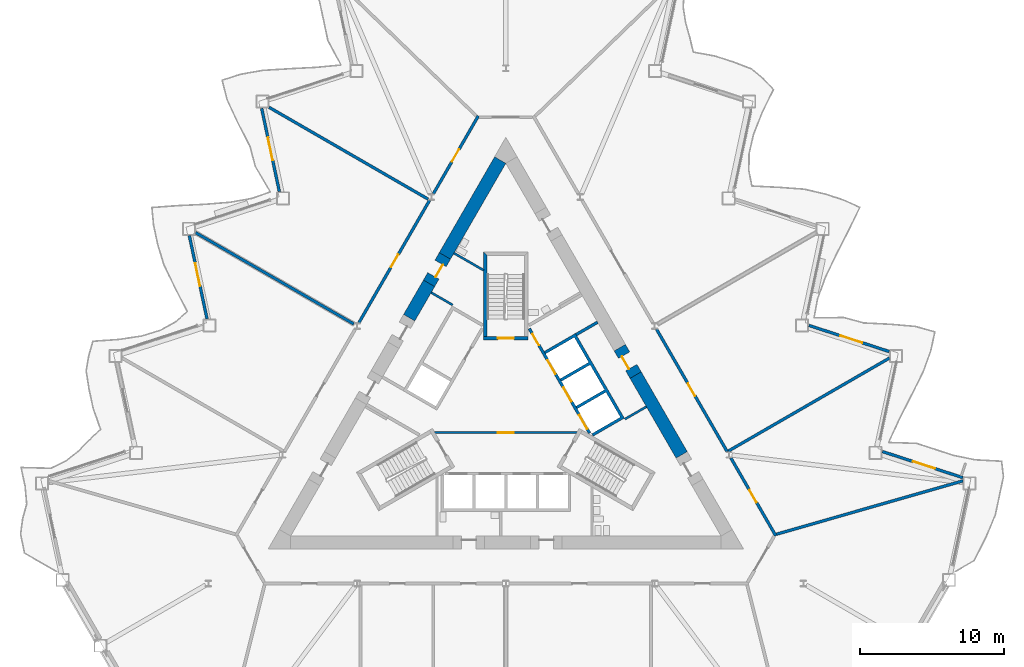
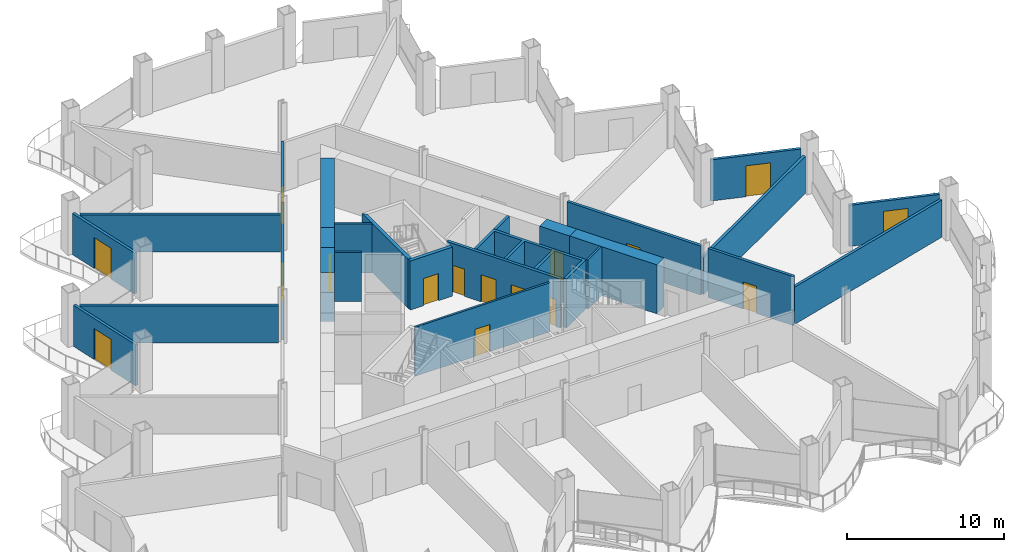
# One storey, part 12 of 21: 26 walls, 16 doors, 16 openings.
"""IFC4 building model written with IfcOpenShell, lengths in metres."""

from ifc_helpers import new_model, si_unit, direction, frame, frame_2d, origin, place, context, subcontext, project, spatial, polyline, rectangle, outline, extrude, material, layer, layer_set, type_object, element, fill, save


model = new_model("IFC4")

# Units and contexts
model_context = context("Model", 3, precision=1e-05, world=origin(), true_north=direction((0.0, 1.0)))
body_context = subcontext(model_context, "Body", "Model", "MODEL_VIEW")
ifc_project = project(units=[si_unit("LENGTHUNIT", "METRE"), si_unit("AREAUNIT", "SQUARE_METRE"), si_unit("VOLUMEUNIT", "CUBIC_METRE"), si_unit("PLANEANGLEUNIT", "RADIAN"), si_unit("MASSUNIT", "GRAM", prefix="KILO")], contexts=[model_context])

# Site, building, storey
site_placement = place(None, origin())
site = spatial("IfcSite", under=ifc_project, at=site_placement, CompositionType="ELEMENT")
building_placement = place(site_placement, origin())
building = spatial("IfcBuilding", under=site, at=building_placement, Name="Cormorant Prow Tower", CompositionType="ELEMENT")
storey_placement = place(building_placement, frame((0.0, 0.0, 129.0)))
storey = spatial("IfcBuildingStorey", under=building, at=storey_placement, Name="L27", CompositionType="ELEMENT", Elevation=129.0)

# Wall, opening, door
ifc_material_1 = material(Name="Gypsum board partition")
ifc_layer_1 = layer(ifc_material_1, 0.14990234375)
ifc_layer_set_1 = layer_set([ifc_layer_1], Name="Gypsum board partition")
wall_type_1 = type_object("IfcWallType", Name="Core partition 150", PredefinedType="PARTITIONING", material=ifc_layer_set_1)
wall_1_placement = place(storey_placement, frame((-4.941162109375, -1.449951171875, 0.0), z_axis=(0.0, 0.0, 1.0), x_axis=(1.0, 0.0, 0.0)))
wall_1 = element("IfcWall", 1, at=wall_1_placement, inside=storey, type_object=wall_type_1, Name="Firefighting lobby partition", PredefinedType="PARTITIONING", context=body_context, shape_type="SweptSolid", body=[
    extrude(rectangle(XDim=9.88232421875, YDim=0.14990234375, at=frame_2d((4.941162109375, 0.0))), origin(), (0.0, 0.0, 1.0), 3.800048828125),
])
opening_1_placement = place(wall_1_placement, frame((4.39111328125, 0.0, 0.0)))
opening_1 = element("IfcOpeningElement", 2, at=opening_1_placement, cuts=wall_1, Name="Opening L27-C10", PredefinedType="OPENING", context=body_context, shape_type="SweptSolid", body=[
    extrude(rectangle(XDim=1.10009765625, YDim=2.10009765625, at=frame_2d((0.550048828125, 1.050048828125))), frame((0.0, 0.0849609375, 0.0), z_axis=(0.0, -1.0, 0.0), x_axis=(1.0, 0.0, 0.0)), (0.0, 0.0, 1.0), 0.169921875),
])
ifc_material_2 = material(Name="Painted steel", Category="steel")
door_type_1 = type_object("IfcDoorType", Name="Firefighting lobby door 1100x2100", OperationType="NOTDEFINED", PredefinedType="DOOR", material=ifc_material_2)
door_1_placement = place(opening_1_placement, origin())
door_1 = element("IfcDoor", 3, at=door_1_placement, inside=storey, type_object=door_type_1, Name="Firefighting lobby door", OperationType="SINGLE_SWING_RIGHT", OverallHeight=2.10009765625, OverallWidth=1.10009765625, PredefinedType="DOOR", context=body_context, shape_type="SweptSolid", body=[
    extrude(rectangle(XDim=1.10009765625, YDim=2.10009765625, at=frame_2d((0.550048828125, 1.050048828125))), frame((0.0, 0.02490234375, 0.0), z_axis=(0.0, -1.0, 0.0), x_axis=(1.0, 0.0, 0.0)), (0.0, 0.0, 1.0), 0.050048828125),
])
fill(opening_1, door_1)

# Walls
for number, where, z_axis, x_axis, name in (
    (4, (8.268310546875, -0.509033203125, 0.0), (0.0, 0.0, 1.0), (0.866024871741, 0.500000921525, 0.0), "Service room partition"),
    (5, (-3.693359375, 7.4150390625, 0.0), (0.0, 0.0, 1.0), (-0.866024871741, 0.500000921525, 0.0), "Service room partition"),
):
    element("IfcWall", number, at=place(storey_placement, frame(where, z_axis=z_axis, x_axis=x_axis)), inside=storey, type_object=wall_type_1, Name=name, PredefinedType="PARTITIONING", context=body_context, shape_type="SweptSolid", body=[
        extrude(rectangle(XDim=1.72021484375, YDim=0.14990234375, at=frame_2d((0.860107421875, 0.0))), origin(), (0.0, 0.0, 1.0), 3.800048828125),
    ])
wall_2_placement = place(storey_placement, frame((-3.601806640625, 11.013916015625, 0.0), z_axis=(0.0, 0.0, 1.0), x_axis=(0.866011787705, -0.500023583, 0.0)))
element("IfcWall", 6, at=wall_2_placement, inside=storey, type_object=wall_type_1, Name="Service room partition", PredefinedType="PARTITIONING", context=body_context, shape_type="SweptSolid", body=[
    extrude(rectangle(XDim=2.38623046875, YDim=0.14990234375, at=frame_2d((1.193115234375, 0.0))), origin(), (0.0, 0.0, 1.0), 3.800048828125),
])
ifc_material_3 = material(Name="Concrete 8000 psi", Category="concrete")
ifc_layer_2 = layer(ifc_material_3, 0.89990234375)
ifc_layer_set_2 = layer_set([ifc_layer_2], Name="Concrete 8000 psi")
wall_type_2 = type_object("IfcWallType", Name="Core shear wall 900", PredefinedType="SHEAR", material=ifc_layer_set_2)
wall_3_placement = place(storey_placement, frame((12.2080078125, -2.992431640625, 0.0), z_axis=(0.0, 0.0, 1.0), x_axis=(-0.499990106751, 0.866031115579, 0.0)))
element("IfcWall", 7, at=wall_3_placement, inside=storey, type_object=wall_type_2, Name="Core wall", PredefinedType="SHEAR", context=body_context, shape_type="SweptSolid", body=[
    extrude(rectangle(XDim=6.395751953125, YDim=0.89990234375, at=frame_2d((3.19775390625, 0.0))), origin(), (0.0, 0.0, 1.0), 3.800048828125),
])
wall_4_placement = place(storey_placement, frame((-0.3896484375, 17.4775390625, 0.0), z_axis=(0.0, 0.0, 1.0), x_axis=(-0.500010285023, -0.866019465642, 0.0)))
element("IfcWall", 8, at=wall_4_placement, inside=storey, type_object=wall_type_2, Name="Core wall", PredefinedType="SHEAR", context=body_context, shape_type="SweptSolid", body=[
    extrude(rectangle(XDim=7.684814453125, YDim=0.89990234375, at=frame_2d((3.84228515625, 0.0))), origin(), (0.0, 0.0, 1.0), 3.800048828125),
])
wall_5_placement = place(storey_placement, frame((-5.332275390625, 8.9169921875, 0.0), z_axis=(0.0, 0.0, 1.0), x_axis=(-0.499949934511, -0.866054307178, 0.0)))
element("IfcWall", 9, at=wall_5_placement, inside=storey, type_object=wall_type_2, Name="Core wall", PredefinedType="SHEAR", context=body_context, shape_type="SweptSolid", body=[
    extrude(rectangle(XDim=2.756103515625, YDim=0.89990234375, at=frame_2d((1.3779296875, 0.0))), origin(), (0.0, 0.0, 1.0), 3.800048828125),
])

# Wall, opening, door
wall_6_placement = place(storey_placement, frame((9.01025390625, 2.54638671875, 0.0), z_axis=(0.0, 0.0, 1.0), x_axis=(-0.499994660107, 0.866028486751, 0.0)))
wall_6 = element("IfcWall", 10, at=wall_6_placement, inside=storey, type_object=wall_type_2, Name="Core wall door panel", PredefinedType="SHEAR", context=body_context, shape_type="SweptSolid", body=[
    extrude(rectangle(XDim=2.19970703125, YDim=0.89990234375, at=frame_2d((1.099853515625, 0.0))), origin(), (0.0, 0.0, 1.0), 3.800048828125),
])
opening_2_placement = place(wall_6_placement, frame((0.60009765625, 0.0, 0.0)))
opening_2 = element("IfcOpeningElement", 11, at=opening_2_placement, cuts=wall_6, Name="Opening L27-C18", PredefinedType="OPENING", context=body_context, shape_type="SweptSolid", body=[
    extrude(rectangle(XDim=1.0, YDim=2.10009765625, at=frame_2d((0.5, 1.050048828125))), frame((0.0, 0.4599609375, 0.0), z_axis=(0.0, -1.0, 0.0), x_axis=(1.0, 0.0, 0.0)), (0.0, 0.0, 1.0), 0.919921875),
])
ifc_material_4 = material(Name="Painted steel", Category="steel")
door_type_2 = type_object("IfcDoorType", Name="Service door 1000x2100", OperationType="NOTDEFINED", PredefinedType="DOOR", material=ifc_material_4)
door_2_placement = place(opening_2_placement, origin())
door_2 = element("IfcDoor", 12, at=door_2_placement, inside=storey, type_object=door_type_2, Name="Core door, Housekeeping store", OperationType="SINGLE_SWING_RIGHT", OverallHeight=2.10009765625, OverallWidth=1.0, PredefinedType="DOOR", context=body_context, shape_type="SweptSolid", body=[
    extrude(rectangle(XDim=1.0, YDim=2.10009765625, at=frame_2d((0.5, 1.050048828125))), frame((0.0, 0.205078125, 0.0), z_axis=(0.0, -1.0, 0.0), x_axis=(1.0, 0.0, 0.0)), (0.0, 0.0, 1.0), 0.050048828125),
])
fill(opening_2, door_2)

wall_7_placement = place(storey_placement, frame((-4.232177734375, 10.822265625, 0.0), z_axis=(0.0, 0.0, 1.0), x_axis=(-0.50002983664, -0.866008176907, 0.0)))
wall_7 = element("IfcWall", 13, at=wall_7_placement, inside=storey, type_object=wall_type_2, Name="Core wall door panel", PredefinedType="SHEAR", context=body_context, shape_type="SweptSolid", body=[
    extrude(rectangle(XDim=2.199951171875, YDim=0.89990234375, at=frame_2d((1.10009765625, 0.0))), origin(), (0.0, 0.0, 1.0), 3.800048828125),
])
opening_3_placement = place(wall_7_placement, frame((0.60009765625, 0.0, 0.0)))
opening_3 = element("IfcOpeningElement", 14, at=opening_3_placement, cuts=wall_7, Name="Opening L27-C20", PredefinedType="OPENING", context=body_context, shape_type="SweptSolid", body=[
    extrude(rectangle(XDim=1.0, YDim=2.10009765625, at=frame_2d((0.5, 1.050048828125))), frame((0.0, 0.4599609375, 0.0), z_axis=(0.0, -1.0, 0.0), x_axis=(1.0, 0.0, 0.0)), (0.0, 0.0, 1.0), 0.919921875),
])
door_3_placement = place(opening_3_placement, origin())
door_3 = element("IfcDoor", 15, at=door_3_placement, inside=storey, type_object=door_type_2, Name="Core door, Linen store", OperationType="SINGLE_SWING_LEFT", OverallHeight=2.10009765625, OverallWidth=1.0, PredefinedType="DOOR", context=body_context, shape_type="SweptSolid", body=[
    extrude(rectangle(XDim=1.0, YDim=2.10009765625, at=frame_2d((0.5, 1.050048828125))), frame((0.0, 0.205078125, 0.0), z_axis=(0.0, -1.0, 0.0), x_axis=(1.0, 0.0, 0.0)), (0.0, 0.0, 1.0), 0.050048828125),
])
fill(opening_3, door_3)

ifc_material_5 = material(Name="Gypsum board corridor wall")
ifc_layer_3 = layer(ifc_material_5, 0.199951171875)
ifc_layer_set_3 = layer_set([ifc_layer_3], Name="Gypsum board corridor wall")
wall_type_3 = type_object("IfcWallType", Name="Corridor wall 200", PredefinedType="PARTITIONING", material=ifc_layer_set_3)
wall_8_placement = place(storey_placement, frame((10.459716796875, 5.735595703125, 0.0), z_axis=(0.0, 0.0, 1.0), x_axis=(0.500004141693, -0.866023012564, 0.0)))
wall_8 = element("IfcWall", 16, at=wall_8_placement, inside=storey, type_object=wall_type_3, Name="Corridor wall", PredefinedType="PARTITIONING", context=body_context, shape_type="SweptSolid", body=[
    extrude(rectangle(XDim=9.80322265625, YDim=0.199951171875, at=frame_2d((4.901611328125, 0.0))), origin(), (0.0, 0.0, 1.0), 3.800048828125),
])
opening_4_placement = place(wall_8_placement, frame((4.3515625, 0.0, 0.0)))
opening_4 = element("IfcOpeningElement", 17, at=opening_4_placement, cuts=wall_8, Name="Opening L27-F08", PredefinedType="OPENING", context=body_context, shape_type="SweptSolid", body=[
    extrude(rectangle(XDim=1.0, YDim=2.10009765625, at=frame_2d((0.5, 1.050048828125))), frame((0.0, 0.10986328125, 0.0), z_axis=(0.0, -1.0, 0.0), x_axis=(1.0, 0.0, 0.0)), (0.0, 0.0, 1.0), 0.219970703125),
])
ifc_material_6 = material(Name="Timber door leaf", Category="wood")
door_type_3 = type_object("IfcDoorType", Name="Office door 1000x2100", OperationType="NOTDEFINED", PredefinedType="DOOR", material=ifc_material_6)
door_4_placement = place(opening_4_placement, origin())
door_4 = element("IfcDoor", 18, at=door_4_placement, inside=storey, type_object=door_type_3, Name="Co-working room door", OperationType="SINGLE_SWING_RIGHT", OverallHeight=2.10009765625, OverallWidth=1.0, PredefinedType="DOOR", context=body_context, shape_type="SweptSolid", body=[
    extrude(rectangle(XDim=1.0, YDim=2.10009765625, at=frame_2d((0.5, 1.050048828125))), frame((0.0, 0.02490234375, 0.0), z_axis=(0.0, -1.0, 0.0), x_axis=(1.0, 0.0, 0.0)), (0.0, 0.0, 1.0), 0.050048828125),
])
fill(opening_4, door_4)

wall_9_placement = place(storey_placement, frame((-10.197265625, 6.1904296875, 0.0), z_axis=(0.0, 0.0, 1.0), x_axis=(0.500012035596, 0.866018454918, 0.0)))
wall_9 = element("IfcWall", 19, at=wall_9_placement, inside=storey, type_object=wall_type_3, Name="Corridor wall", PredefinedType="PARTITIONING", context=body_context, shape_type="SweptSolid", body=[
    extrude(rectangle(XDim=9.803466796875, YDim=0.199951171875, at=frame_2d((4.90185546875, 0.0))), origin(), (0.0, 0.0, 1.0), 3.800048828125),
])
opening_5_placement = place(wall_9_placement, frame((4.45166015625, 0.0, 0.0)))
opening_5 = element("IfcOpeningElement", 20, at=opening_5_placement, cuts=wall_9, Name="Opening L27-F12", PredefinedType="OPENING", context=body_context, shape_type="SweptSolid", body=[
    extrude(rectangle(XDim=1.0, YDim=2.10009765625, at=frame_2d((0.5, 1.050048828125))), frame((0.0, 0.10986328125, 0.0), z_axis=(0.0, -1.0, 0.0), x_axis=(1.0, 0.0, 0.0)), (0.0, 0.0, 1.0), 0.219970703125),
])
door_5_placement = place(opening_5_placement, origin())
door_5 = element("IfcDoor", 21, at=door_5_placement, inside=storey, type_object=door_type_3, Name="Tenant suite door", OperationType="SINGLE_SWING_LEFT", OverallHeight=2.10009765625, OverallWidth=1.0, PredefinedType="DOOR", context=body_context, shape_type="SweptSolid", body=[
    extrude(rectangle(XDim=1.0, YDim=2.10009765625, at=frame_2d((0.5, 1.050048828125))), frame((0.0, 0.02490234375, 0.0), z_axis=(0.0, -1.0, 0.0), x_axis=(1.0, 0.0, 0.0)), (0.0, 0.0, 1.0), 0.050048828125),
])
fill(opening_5, door_5)

wall_10_placement = place(storey_placement, frame((-5.032958984375, 15.13525390625, 0.0), z_axis=(0.0, 0.0, 1.0), x_axis=(0.499980978912, 0.866036385336, 0.0)))
wall_10 = element("IfcWall", 22, at=wall_10_placement, inside=storey, type_object=wall_type_3, Name="Corridor wall", PredefinedType="PARTITIONING", context=body_context, shape_type="SweptSolid", body=[
    extrude(rectangle(XDim=6.239990234375, YDim=0.199951171875, at=frame_2d((3.1201171875, 0.0))), origin(), (0.0, 0.0, 1.0), 3.800048828125),
])
opening_6_placement = place(wall_10_placement, frame((2.569580078125, 0.0, 0.0)))
opening_6 = element("IfcOpeningElement", 23, at=opening_6_placement, cuts=wall_10, Name="Opening L27-F11", PredefinedType="OPENING", context=body_context, shape_type="SweptSolid", body=[
    extrude(rectangle(XDim=1.0, YDim=2.10009765625, at=frame_2d((0.5, 1.050048828125))), frame((0.0, 0.10986328125, 0.0), z_axis=(0.0, -1.0, 0.0), x_axis=(1.0, 0.0, 0.0)), (0.0, 0.0, 1.0), 0.219970703125),
])
door_6_placement = place(opening_6_placement, origin())
door_6 = element("IfcDoor", 24, at=door_6_placement, inside=storey, type_object=door_type_3, Name="Open-plan office door", OperationType="SINGLE_SWING_LEFT", OverallHeight=2.10009765625, OverallWidth=1.0, PredefinedType="DOOR", context=body_context, shape_type="SweptSolid", body=[
    extrude(rectangle(XDim=1.0, YDim=2.10009765625, at=frame_2d((0.5, 1.050048828125))), frame((0.0, 0.02490234375, 0.0), z_axis=(0.0, -1.0, 0.0), x_axis=(1.0, 0.0, 0.0)), (0.0, 0.0, 1.0), 0.050048828125),
])
fill(opening_6, door_6)

wall_11_placement = place(storey_placement, frame((15.6240234375, -3.208984375, 0.0), z_axis=(0.0, 0.0, 1.0), x_axis=(0.499997920671, -0.866026604282, 0.0)))
wall_11 = element("IfcWall", 25, at=wall_11_placement, inside=storey, type_object=wall_type_3, Name="Corridor wall", PredefinedType="PARTITIONING", context=body_context, shape_type="SweptSolid", body=[
    extrude(rectangle(XDim=6.23974609375, YDim=0.199951171875, at=frame_2d((3.119873046875, 0.0))), origin(), (0.0, 0.0, 1.0), 3.800048828125),
])
opening_7_placement = place(wall_11_placement, frame((2.569580078125, 0.0, 0.0)))
opening_7 = element("IfcOpeningElement", 26, at=opening_7_placement, cuts=wall_11, Name="Opening L27-F07", PredefinedType="OPENING", context=body_context, shape_type="SweptSolid", body=[
    extrude(rectangle(XDim=1.0, YDim=2.10009765625, at=frame_2d((0.5, 1.050048828125))), frame((0.0, 0.10986328125, 0.0), z_axis=(0.0, -1.0, 0.0), x_axis=(1.0, 0.0, 0.0)), (0.0, 0.0, 1.0), 0.219970703125),
])
door_7_placement = place(opening_7_placement, origin())
door_7 = element("IfcDoor", 27, at=door_7_placement, inside=storey, type_object=door_type_3, Name="Tenant suite door", OperationType="SINGLE_SWING_LEFT", OverallHeight=2.10009765625, OverallWidth=1.0, PredefinedType="DOOR", context=body_context, shape_type="SweptSolid", body=[
    extrude(rectangle(XDim=1.0, YDim=2.10009765625, at=frame_2d((0.5, 1.050048828125))), frame((0.0, 0.02490234375, 0.0), z_axis=(0.0, -1.0, 0.0), x_axis=(1.0, 0.0, 0.0)), (0.0, 0.0, 1.0), 0.050048828125),
])
fill(opening_7, door_7)

# Walls
ifc_material_7 = material(Name="Gypsum board demising wall")
ifc_layer_4 = layer(ifc_material_7, 0.199951171875)
ifc_layer_set_4 = layer_set([ifc_layer_4], Name="Gypsum board demising wall")
wall_type_4 = type_object("IfcWallType", Name="Demising wall 200", PredefinedType="PARTITIONING", material=ifc_layer_set_4)
wall_12_placement = place(storey_placement, frame((18.7900390625, -8.498779296875, 0.0), z_axis=(0.0, 0.0, 1.0), x_axis=(0.961478776026, 0.274879179372, 0.0)))
element("IfcWall", 28, at=wall_12_placement, inside=storey, type_object=wall_type_4, Name="Demising wall", PredefinedType="PARTITIONING", context=body_context, shape_type="SweptSolid", body=[
    extrude(rectangle(XDim=13.46484375, YDim=0.199951171875, at=frame_2d((6.732421875, 0.0))), origin(), (0.0, 0.0, 1.0), 2.88525390625),
])
wall_13_placement = place(storey_placement, frame((15.4033203125, -2.754150390625, 0.0), z_axis=(0.0, 0.0, 1.0), x_axis=(0.866024473704, 0.500001610943, 0.0)))
element("IfcWall", 29, at=wall_13_placement, inside=storey, type_object=wall_type_4, Name="Demising wall", PredefinedType="PARTITIONING", context=body_context, shape_type="SweptSolid", body=[
    extrude(rectangle(XDim=12.970703125, YDim=0.199951171875, at=frame_2d((6.4853515625, 0.0))), origin(), (0.0, 0.0, 1.0), 2.88525390625),
])
wall_14_placement = place(storey_placement, frame((-16.436279296875, 21.13671875, 0.0), z_axis=(0.0, 0.0, 1.0), x_axis=(0.866023321739, -0.500003606191, 0.0)))
element("IfcWall", 30, at=wall_14_placement, inside=storey, type_object=wall_type_4, Name="Demising wall", PredefinedType="PARTITIONING", context=body_context, shape_type="SweptSolid", body=[
    extrude(rectangle(XDim=12.75341796875, YDim=0.199951171875, at=frame_2d((6.376708984375, 0.0))), origin(), (0.0, 0.0, 1.0), 2.88525390625),
])
wall_15_placement = place(storey_placement, frame((-21.536376953125, 12.43408203125, 0.0), z_axis=(0.0, 0.0, 1.0), x_axis=(0.86602461759, -0.500001361726, 0.0)))
element("IfcWall", 31, at=wall_15_placement, inside=storey, type_object=wall_type_4, Name="Demising wall", PredefinedType="PARTITIONING", context=body_context, shape_type="SweptSolid", body=[
    extrude(rectangle(XDim=12.67919921875, YDim=0.199951171875, at=frame_2d((6.339599609375, 0.0))), origin(), (0.0, 0.0, 1.0), 2.88525390625),
])

# Wall, openings, doors
ifc_material_8 = material(Name="Concrete 5000 psi", Category="concrete")
ifc_layer_5 = layer(ifc_material_8, 0.199951171875)
ifc_layer_set_5 = layer_set([ifc_layer_5], Name="Concrete 5000 psi")
wall_type_5 = type_object("IfcWallType", Name="Lift lobby wall 200", PredefinedType="SOLIDWALL", material=ifc_layer_set_5)
wall_16_placement = place(storey_placement, frame((5.817138671875, -1.4755859375, 0.0), z_axis=(0.0, 0.0, 1.0), x_axis=(-0.500002616675, 0.866023893041, 0.0)))
wall_16 = element("IfcWall", 32, at=wall_16_placement, inside=storey, type_object=wall_type_5, Name="Lift lobby wall, ENE block", PredefinedType="SOLIDWALL", context=body_context, shape_type="SweptSolid", body=[
    extrude(rectangle(XDim=8.373046875, YDim=0.199951171875, at=frame_2d((4.1865234375, 0.0))), origin(), (0.0, 0.0, 1.0), 3.800048828125),
])
opening_8_placement = place(wall_16_placement, frame((0.336669921875, 0.0, 0.0)))
opening_8 = element("IfcOpeningElement", 33, at=opening_8_placement, cuts=wall_16, Name="Opening L27-C05", PredefinedType="OPENING", context=body_context, shape_type="SweptSolid", body=[
    extrude(rectangle(XDim=1.10009765625, YDim=2.10009765625, at=frame_2d((0.550048828125, 1.050048828125))), frame((0.0, 0.10986328125, 0.0), z_axis=(0.0, -1.0, 0.0), x_axis=(1.0, 0.0, 0.0)), (0.0, 0.0, 1.0), 0.219970703125),
])
opening_9_placement = place(wall_16_placement, frame((2.53662109375, 0.0, 0.0)))
opening_9 = element("IfcOpeningElement", 34, at=opening_9_placement, cuts=wall_16, Name="Opening L27-C06", PredefinedType="OPENING", context=body_context, shape_type="SweptSolid", body=[
    extrude(rectangle(XDim=1.10009765625, YDim=2.10009765625, at=frame_2d((0.550048828125, 1.050048828125))), frame((0.0, 0.10986328125, 0.0), z_axis=(0.0, -1.0, 0.0), x_axis=(1.0, 0.0, 0.0)), (0.0, 0.0, 1.0), 0.219970703125),
])
opening_10_placement = place(wall_16_placement, frame((4.736572265625, 0.0, 0.0)))
opening_10 = element("IfcOpeningElement", 35, at=opening_10_placement, cuts=wall_16, Name="Opening L27-C07", PredefinedType="OPENING", context=body_context, shape_type="SweptSolid", body=[
    extrude(rectangle(XDim=1.10009765625, YDim=2.10009765625, at=frame_2d((0.550048828125, 1.050048828125))), frame((0.0, 0.10986328125, 0.0), z_axis=(0.0, -1.0, 0.0), x_axis=(1.0, 0.0, 0.0)), (0.0, 0.0, 1.0), 0.219970703125),
])
opening_11_placement = place(wall_16_placement, frame((7.03662109375, 0.0, 0.0)))
opening_11 = element("IfcOpeningElement", 36, at=opening_11_placement, cuts=wall_16, Name="Opening L27-C08", PredefinedType="OPENING", context=body_context, shape_type="SweptSolid", body=[
    extrude(rectangle(XDim=0.89990234375, YDim=2.10009765625, at=frame_2d((0.449951171875, 1.050048828125))), frame((0.0, 0.10986328125, 0.0), z_axis=(0.0, -1.0, 0.0), x_axis=(1.0, 0.0, 0.0)), (0.0, 0.0, 1.0), 0.219970703125),
])
ifc_material_9 = material(Name="Painted steel", Category="steel")
door_type_4 = type_object("IfcDoorType", Name="Lift landing door 1100x2100", OperationType="SLIDING_TO_LEFT", PredefinedType="DOOR", material=ifc_material_9)
door_8_placement = place(opening_8_placement, origin())
door_8 = element("IfcDoor", 37, at=door_8_placement, inside=storey, type_object=door_type_4, Name="Landing door LR2", OperationType="SLIDING_TO_LEFT", OverallHeight=2.10009765625, OverallWidth=1.10009765625, PredefinedType="DOOR", context=body_context, shape_type="SweptSolid", body=[
    extrude(rectangle(XDim=1.10009765625, YDim=2.10009765625, at=frame_2d((0.550048828125, 1.050048828125))), frame((0.0, 0.02490234375, 0.0), z_axis=(0.0, -1.0, 0.0), x_axis=(1.0, 0.0, 0.0)), (0.0, 0.0, 1.0), 0.050048828125),
])
fill(opening_8, door_8)
door_9_placement = place(opening_9_placement, origin())
door_9 = element("IfcDoor", 38, at=door_9_placement, inside=storey, type_object=door_type_4, Name="Landing door LR3", OperationType="SLIDING_TO_LEFT", OverallHeight=2.10009765625, OverallWidth=1.10009765625, PredefinedType="DOOR", context=body_context, shape_type="SweptSolid", body=[
    extrude(rectangle(XDim=1.10009765625, YDim=2.10009765625, at=frame_2d((0.550048828125, 1.050048828125))), frame((0.0, 0.02490234375, 0.0), z_axis=(0.0, -1.0, 0.0), x_axis=(1.0, 0.0, 0.0)), (0.0, 0.0, 1.0), 0.050048828125),
])
fill(opening_9, door_9)
door_10_placement = place(opening_10_placement, origin())
door_10 = element("IfcDoor", 39, at=door_10_placement, inside=storey, type_object=door_type_4, Name="Landing door LR4", OperationType="SLIDING_TO_LEFT", OverallHeight=2.10009765625, OverallWidth=1.10009765625, PredefinedType="DOOR", context=body_context, shape_type="SweptSolid", body=[
    extrude(rectangle(XDim=1.10009765625, YDim=2.10009765625, at=frame_2d((0.550048828125, 1.050048828125))), frame((0.0, 0.02490234375, 0.0), z_axis=(0.0, -1.0, 0.0), x_axis=(1.0, 0.0, 0.0)), (0.0, 0.0, 1.0), 0.050048828125),
])
fill(opening_10, door_10)
ifc_material_10 = material(Name="Painted steel", Category="steel")
door_type_5 = type_object("IfcDoorType", Name="Service door 900x2100", OperationType="NOTDEFINED", PredefinedType="DOOR", material=ifc_material_10)
door_11_placement = place(opening_11_placement, origin())
door_11 = element("IfcDoor", 40, at=door_11_placement, inside=storey, type_object=door_type_5, Name="Service door, Pantry store", OperationType="SINGLE_SWING_RIGHT", OverallHeight=2.10009765625, OverallWidth=0.89990234375, PredefinedType="DOOR", context=body_context, shape_type="SweptSolid", body=[
    extrude(rectangle(XDim=0.89990234375, YDim=2.10009765625, at=frame_2d((0.449951171875, 1.050048828125))), frame((0.0, 0.02490234375, 0.0), z_axis=(0.0, -1.0, 0.0), x_axis=(1.0, 0.0, 0.0)), (0.0, 0.0, 1.0), 0.050048828125),
])
fill(opening_11, door_11)

# Walls
ifc_material_11 = material(Name="Concrete 8000 psi", Category="concrete")
ifc_layer_6 = layer(ifc_material_11, 0.199951171875)
ifc_layer_set_6 = layer_set([ifc_layer_6], Name="Concrete 8000 psi")
wall_type_6 = type_object("IfcWallType", Name="Lift shaft wall 200", PredefinedType="SHEAR", material=ifc_layer_set_6)
wall_17_placement = place(storey_placement, origin())
element("IfcWall", 41, at=wall_17_placement, inside=storey, type_object=wall_type_6, Name="Lift shaft walls, ENE block", PredefinedType="SHEAR", context=body_context, shape_type="SweptSolid", body=[
    extrude(outline(polyline([(2.660400390625, 4.19189453125), (4.830810546875, 5.44482421875), (8.230712890625, -0.444091796875), (6.060546875, -1.697021484375), (5.96044921875, -1.52392578125), (7.952392578125, -0.373779296875), (6.952392578125, 1.358154296875), (4.96044921875, 0.2080078125), (4.860595703125, 0.38134765625), (6.852294921875, 1.53125), (5.852294921875, 3.263427734375), (3.860595703125, 2.11328125), (3.760498046875, 2.28662109375), (5.75244140625, 3.4365234375), (4.75244140625, 5.168701171875), (2.760498046875, 4.018798828125), (2.660400390625, 4.19189453125)])), origin(), (0.0, 0.0, 1.0), 3.800048828125),
])
wall_18_placement = place(storey_placement, frame((4.880859375, 5.3583984375, 0.0), z_axis=(0.0, 0.0, 1.0), x_axis=(0.866024871741, 0.500000921525, 0.0)))
element("IfcWall", 42, at=wall_18_placement, inside=storey, type_object=wall_type_6, Name="Store side wall", PredefinedType="SHEAR", context=body_context, shape_type="SweptSolid", body=[
    extrude(rectangle(XDim=1.72021484375, YDim=0.199951171875, at=frame_2d((0.860107421875, 0.0))), origin(), (0.0, 0.0, 1.0), 3.800048828125),
])
ifc_material_12 = material(Name="Concrete 8000 psi", Category="concrete")
ifc_layer_7 = layer(ifc_material_12, 0.25)
ifc_layer_set_7 = layer_set([ifc_layer_7], Name="Concrete 8000 psi")
wall_type_7 = type_object("IfcWallType", Name="Stair wall 250", PredefinedType="SHEAR", material=ifc_layer_set_7)
wall_19_placement = place(storey_placement, origin())
element("IfcWall", 43, at=wall_19_placement, inside=storey, type_object=wall_type_7, Name="Stair ST3 enclosure wall (flank)", PredefinedType="SHEAR", context=body_context, shape_type="SweptSolid", body=[
    extrude(outline(polyline([(-1.2939453125, 10.8369140625), (-1.5439453125, 11.0869140625), (-1.5439453125, 5.23681640625), (-1.2939453125, 5.23681640625), (-1.2939453125, 10.8369140625)])), origin(), (0.0, 0.0, 1.0), 3.800048828125),
])

# Wall, opening, door
wall_20_placement = place(storey_placement, frame((1.5439453125, 5.11181640625, 0.0), z_axis=(0.0, 0.0, 1.0), x_axis=(-1.0, 0.0, 0.0)))
wall_20 = element("IfcWall", 44, at=wall_20_placement, inside=storey, type_object=wall_type_7, Name="Stair ST3 door wall", PredefinedType="SHEAR", context=body_context, shape_type="SweptSolid", body=[
    extrude(rectangle(XDim=3.087890625, YDim=0.25, at=frame_2d((1.5439453125, 0.0))), origin(), (0.0, 0.0, 1.0), 3.800048828125),
])
opening_12_placement = place(wall_20_placement, frame((0.993896484375, 0.0, 0.0)))
opening_12 = element("IfcOpeningElement", 45, at=opening_12_placement, cuts=wall_20, Name="Opening L27-C13", PredefinedType="OPENING", context=body_context, shape_type="SweptSolid", body=[
    extrude(rectangle(XDim=1.10009765625, YDim=2.10009765625, at=frame_2d((0.550048828125, 1.050048828125))), frame((0.0, 0.135009765625, 0.0), z_axis=(0.0, -1.0, 0.0), x_axis=(1.0, 0.0, 0.0)), (0.0, 0.0, 1.0), 0.27001953125),
])
ifc_material_13 = material(Name="Painted steel", Category="steel")
door_type_6 = type_object("IfcDoorType", Name="Stair door 1100x2100", OperationType="NOTDEFINED", PredefinedType="DOOR", material=ifc_material_13)
door_12_placement = place(opening_12_placement, origin())
door_12 = element("IfcDoor", 46, at=door_12_placement, inside=storey, type_object=door_type_6, Name="Stair ST3 door", OperationType="SINGLE_SWING_RIGHT", OverallHeight=2.10009765625, OverallWidth=1.10009765625, PredefinedType="DOOR", context=body_context, shape_type="SweptSolid", body=[
    extrude(rectangle(XDim=1.10009765625, YDim=2.10009765625, at=frame_2d((0.550048828125, 1.050048828125))), frame((0.0, 0.02490234375, 0.0), z_axis=(0.0, -1.0, 0.0), x_axis=(1.0, 0.0, 0.0)), (0.0, 0.0, 1.0), 0.050048828125),
])
fill(opening_12, door_12)

ifc_material_14 = material(Name="Terracotta", Category="masonry")
ifc_layer_8 = layer(ifc_material_14, 0.199951171875)
ifc_layer_set_8 = layer_set([ifc_layer_8], Name="Terracotta")
wall_type_8 = type_object("IfcWallType", Name="Terracotta jamb wall 200", PredefinedType="SOLIDWALL", material=ifc_layer_set_8)
wall_21_placement = place(storey_placement, frame((31.73388671875, -4.576904296875, 0.0), z_axis=(0.0, 0.0, 1.0), x_axis=(-0.951060927669, 0.309003417231, 0.0)))
wall_21 = element("IfcWall", 47, at=wall_21_placement, inside=storey, type_object=wall_type_8, Name="Terracotta jamb wall ENE01", PredefinedType="SOLIDWALL", context=body_context, shape_type="SweptSolid", body=[
    extrude(rectangle(XDim=5.87744140625, YDim=0.199951171875, at=frame_2d((2.938720703125, 0.0))), origin(), (0.0, 0.0, 1.0), 3.18896484375),
])
opening_13_placement = place(wall_21_placement, frame((2.0419921875, 0.0, 0.0)))
opening_13 = element("IfcOpeningElement", 48, at=opening_13_placement, cuts=wall_21, Name="Opening ED27.06", PredefinedType="OPENING", context=body_context, shape_type="SweptSolid", body=[
    extrude(rectangle(XDim=1.60009765625, YDim=2.39990234375, at=frame_2d((0.800048828125, 1.199951171875))), frame((0.0, 0.10986328125, 0.0), z_axis=(0.0, -1.0, 0.0), x_axis=(1.0, 0.0, 0.0)), (0.0, 0.0, 1.0), 0.219970703125),
])
ifc_material_15 = material(Name="Aluminium 6063-T6", Category="aluminium")
door_type_7 = type_object("IfcDoorType", Name="Balcony door 1600x2400", OperationType="DOUBLE_DOOR_SINGLE_SWING", PredefinedType="DOOR", material=ifc_material_15)
door_13_placement = place(opening_13_placement, origin())
door_13 = element("IfcDoor", 49, at=door_13_placement, inside=storey, type_object=door_type_7, Name="Balcony door ENE01 ED27.06", OperationType="DOUBLE_DOOR_SINGLE_SWING", OverallHeight=2.39990234375, OverallWidth=1.60009765625, PredefinedType="DOOR", context=body_context, shape_type="SweptSolid", body=[
    extrude(rectangle(XDim=1.60009765625, YDim=2.39990234375, at=frame_2d((0.800048828125, 1.199951171875))), frame((0.0, 0.02490234375, 0.0), z_axis=(0.0, -1.0, 0.0), x_axis=(1.0, 0.0, 0.0)), (0.0, 0.0, 1.0), 0.050048828125),
])
fill(opening_13, door_13)

wall_22_placement = place(storey_placement, frame((26.62158203125, 4.1806640625, 0.0), z_axis=(0.0, 0.0, 1.0), x_axis=(-0.951053952554, 0.309024884649, 0.0)))
wall_22 = element("IfcWall", 50, at=wall_22_placement, inside=storey, type_object=wall_type_8, Name="Terracotta jamb wall ENE03", PredefinedType="SOLIDWALL", context=body_context, shape_type="SweptSolid", body=[
    extrude(rectangle(XDim=5.864501953125, YDim=0.199951171875, at=frame_2d((2.93212890625, 0.0))), origin(), (0.0, 0.0, 1.0), 3.18896484375),
])
opening_14_placement = place(wall_22_placement, frame((1.969482421875, 0.0, 0.0)))
opening_14 = element("IfcOpeningElement", 51, at=opening_14_placement, cuts=wall_22, Name="Opening ED27.07", PredefinedType="OPENING", context=body_context, shape_type="SweptSolid", body=[
    extrude(rectangle(XDim=1.60009765625, YDim=2.39990234375, at=frame_2d((0.800048828125, 1.199951171875))), frame((0.0, 0.10986328125, 0.0), z_axis=(0.0, -1.0, 0.0), x_axis=(1.0, 0.0, 0.0)), (0.0, 0.0, 1.0), 0.219970703125),
])
door_14_placement = place(opening_14_placement, origin())
door_14 = element("IfcDoor", 52, at=door_14_placement, inside=storey, type_object=door_type_7, Name="Balcony door ENE03 ED27.07", OperationType="DOUBLE_DOOR_SINGLE_SWING", OverallHeight=2.39990234375, OverallWidth=1.60009765625, PredefinedType="DOOR", context=body_context, shape_type="SweptSolid", body=[
    extrude(rectangle(XDim=1.60009765625, YDim=2.39990234375, at=frame_2d((0.800048828125, 1.199951171875))), frame((0.0, 0.02490234375, 0.0), z_axis=(0.0, -1.0, 0.0), x_axis=(1.0, 0.0, 0.0)), (0.0, 0.0, 1.0), 0.050048828125),
])
fill(opening_14, door_14)

wall_23_placement = place(storey_placement, frame((-16.953125, 21.06640625, 0.0), z_axis=(0.0, 0.0, 1.0), x_axis=(0.207917562075, -0.978146352741, 0.0)))
wall_23 = element("IfcWall", 53, at=wall_23_placement, inside=storey, type_object=wall_type_8, Name="Terracotta jamb wall WNW03", PredefinedType="SOLIDWALL", context=body_context, shape_type="SweptSolid", body=[
    extrude(rectangle(XDim=5.90869140625, YDim=0.199951171875, at=frame_2d((2.954345703125, 0.0))), origin(), (0.0, 0.0, 1.0), 3.18896484375),
])
opening_15_placement = place(wall_23_placement, frame((2.073486328125, 0.0, 0.0)))
opening_15 = element("IfcOpeningElement", 54, at=opening_15_placement, cuts=wall_23, Name="Opening ED27.12", PredefinedType="OPENING", context=body_context, shape_type="SweptSolid", body=[
    extrude(rectangle(XDim=1.60009765625, YDim=2.39990234375, at=frame_2d((0.800048828125, 1.199951171875))), frame((0.0, 0.10986328125, 0.0), z_axis=(0.0, -1.0, 0.0), x_axis=(1.0, 0.0, 0.0)), (0.0, 0.0, 1.0), 0.219970703125),
])
door_15_placement = place(opening_15_placement, origin())
door_15 = element("IfcDoor", 55, at=door_15_placement, inside=storey, type_object=door_type_7, Name="Balcony door WNW03 ED27.12", OperationType="DOUBLE_DOOR_SINGLE_SWING", OverallHeight=2.39990234375, OverallWidth=1.60009765625, PredefinedType="DOOR", context=body_context, shape_type="SweptSolid", body=[
    extrude(rectangle(XDim=1.60009765625, YDim=2.39990234375, at=frame_2d((0.800048828125, 1.199951171875))), frame((0.0, 0.02490234375, 0.0), z_axis=(0.0, -1.0, 0.0), x_axis=(1.0, 0.0, 0.0)), (0.0, 0.0, 1.0), 0.050048828125),
])
fill(opening_15, door_15)

wall_24_placement = place(storey_placement, frame((-21.9755859375, 12.23291015625, 0.0), z_axis=(0.0, 0.0, 1.0), x_axis=(0.207925965623, -0.978144566421, 0.0)))
wall_24 = element("IfcWall", 56, at=wall_24_placement, inside=storey, type_object=wall_type_8, Name="Terracotta jamb wall WNW05", PredefinedType="SOLIDWALL", context=body_context, shape_type="SweptSolid", body=[
    extrude(rectangle(XDim=5.908447265625, YDim=0.199951171875, at=frame_2d((2.9541015625, 0.0))), origin(), (0.0, 0.0, 1.0), 3.18896484375),
])
opening_16_placement = place(wall_24_placement, frame((1.973388671875, 0.0, 0.0)))
opening_16 = element("IfcOpeningElement", 57, at=opening_16_placement, cuts=wall_24, Name="Opening ED27.13", PredefinedType="OPENING", context=body_context, shape_type="SweptSolid", body=[
    extrude(rectangle(XDim=1.60009765625, YDim=2.39990234375, at=frame_2d((0.800048828125, 1.199951171875))), frame((0.0, 0.10986328125, 0.0), z_axis=(0.0, -1.0, 0.0), x_axis=(1.0, 0.0, 0.0)), (0.0, 0.0, 1.0), 0.219970703125),
])
door_16_placement = place(opening_16_placement, origin())
door_16 = element("IfcDoor", 58, at=door_16_placement, inside=storey, type_object=door_type_7, Name="Balcony door WNW05 ED27.13", OperationType="DOUBLE_DOOR_SINGLE_SWING", OverallHeight=2.39990234375, OverallWidth=1.60009765625, PredefinedType="DOOR", context=body_context, shape_type="SweptSolid", body=[
    extrude(rectangle(XDim=1.60009765625, YDim=2.39990234375, at=frame_2d((0.800048828125, 1.199951171875))), frame((0.0, 0.02490234375, 0.0), z_axis=(0.0, -1.0, 0.0), x_axis=(1.0, 0.0, 0.0)), (0.0, 0.0, 1.0), 0.050048828125),
])
fill(opening_16, door_16)

save(model, "model.ifc")
